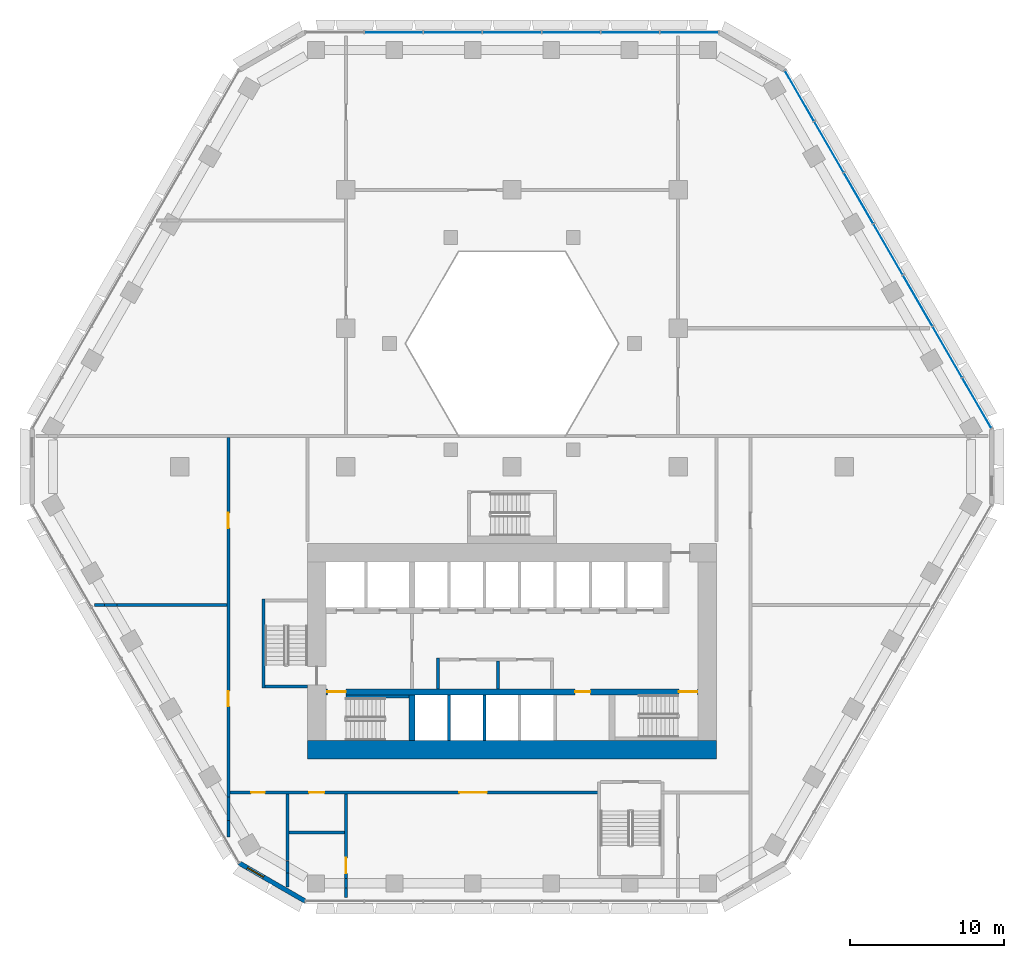
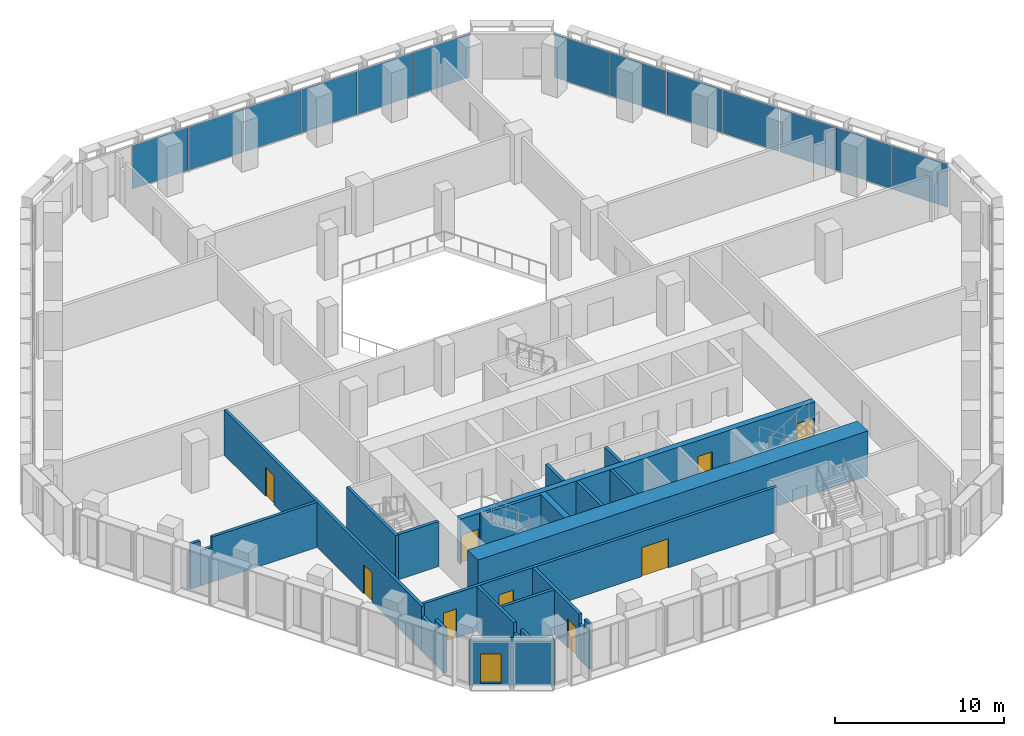
# One storey, part 11 of 22: 25 walls, 13 plates, 9 doors, 1 window, 10 openings, 2 elements without a shape of their own.
"""IFC4 building model written with IfcOpenShell, lengths in metres."""

from ifc_helpers import new_model, si_unit, direction, frame, frame_2d, origin, origin_2d, place, context, subcontext, project, spatial, polyline, rectangle, outline, extrude, material, layer, layer_set, type_object, element, fill, aggregate, save


model = new_model("IFC4")

# Units and contexts
model_context = context("Model", 3, precision=1e-05, world=origin(), true_north=direction((0.0, 1.0)))
body_context = subcontext(model_context, "Body", "Model", "MODEL_VIEW")
ifc_project = project(units=[si_unit("LENGTHUNIT", "METRE"), si_unit("AREAUNIT", "SQUARE_METRE"), si_unit("VOLUMEUNIT", "CUBIC_METRE"), si_unit("PLANEANGLEUNIT", "RADIAN"), si_unit("MASSUNIT", "GRAM", prefix="KILO")], contexts=[model_context])

# Site, building, storey
site_placement = place(None, origin())
site = spatial("IfcSite", under=ifc_project, at=site_placement, CompositionType="ELEMENT")
building_placement = place(site_placement, origin())
building = spatial("IfcBuilding", under=site, at=building_placement, Name="Beryl Residences", CompositionType="ELEMENT")
storey_placement = place(building_placement, frame((0.0, 0.0, 12.60009765625)))
storey = spatial("IfcBuildingStorey", under=building, at=storey_placement, Name="L03", CompositionType="ELEMENT", Elevation=12.60009765625)

# Curtain wall, plates
ifc_material_1 = material(Name="Aluminium and clear glass", Category="aluminium")
curtain_wall_type = type_object("IfcCurtainWallType", Name="CW2 amenity glazing glazed wall", PredefinedType="NOTDEFINED", material=ifc_material_1)
curtain_wall_1_placement = place(storey_placement, origin())
curtain_wall_1 = element("IfcCurtainWall", 1, at=curtain_wall_1_placement, inside=storey, type_object=curtain_wall_type, Name="CW2 L03 N", PredefinedType="NOTDEFINED")
ifc_material_2 = material(Name="Clear laminated glass", Category="glass")
ifc_layer_1 = layer(ifc_material_2, 0.028076171875)
ifc_layer_set_1 = layer_set([ifc_layer_1], Name="CW2-P glazing panel 28 mm")
plate_type = type_object("IfcPlateType", Name="CW2-P glazing panel 28 mm", PredefinedType="CURTAIN_PANEL", material=ifc_layer_set_1)
plate_1_placement = place(storey_placement, frame((11.53076171875, 28.25, 0.06005859375), z_axis=(0.0, 0.0, 1.0), x_axis=(-1.0, 0.0, 0.0)))
plate_1 = element("IfcPlate", 2, at=plate_1_placement, type_object=plate_type, Name="CW2 panel 1.1", PredefinedType="CURTAIN_PANEL", context=body_context, shape_type="SweptSolid", body=[
    extrude(rectangle(XDim=3.758544921875, YDim=0.028076171875, at=origin_2d()), origin(), (0.0, 0.0, 1.0), 3.1298828125),
])
plate_2_placement = place(storey_placement, frame((7.697021484375, 28.25, 0.06005859375), z_axis=(0.0, 0.0, 1.0), x_axis=(-1.0, 0.0, 0.0)))
plate_2 = element("IfcPlate", 3, at=plate_2_placement, type_object=plate_type, Name="CW2 panel 2.1", PredefinedType="CURTAIN_PANEL", context=body_context, shape_type="SweptSolid", body=[
    extrude(rectangle(XDim=3.78857421875, YDim=0.028076171875, at=origin_2d()), origin(), (0.0, 0.0, 1.0), 3.1298828125),
])
plate_3_placement = place(storey_placement, frame((3.8486328125, 28.25, 0.06005859375), z_axis=(0.0, 0.0, 1.0), x_axis=(-1.0, 0.0, 0.0)))
plate_3 = element("IfcPlate", 4, at=plate_3_placement, type_object=plate_type, Name="CW2 panel 3.1", PredefinedType="CURTAIN_PANEL", context=body_context, shape_type="SweptSolid", body=[
    extrude(rectangle(XDim=3.78857421875, YDim=0.028076171875, at=origin_2d()), origin(), (0.0, 0.0, 1.0), 3.1298828125),
])
plate_4_placement = place(storey_placement, frame((0.0, 28.25, 0.06005859375), z_axis=(0.0, 0.0, 1.0), x_axis=(-1.0, 0.0, 0.0)))
plate_4 = element("IfcPlate", 5, at=plate_4_placement, type_object=plate_type, Name="CW2 panel 4.1", PredefinedType="CURTAIN_PANEL", context=body_context, shape_type="SweptSolid", body=[
    extrude(rectangle(XDim=3.78857421875, YDim=0.028076171875, at=origin_2d()), origin(), (0.0, 0.0, 1.0), 3.1298828125),
])
plate_5_placement = place(storey_placement, frame((-3.8486328125, 28.25, 0.06005859375), z_axis=(0.0, 0.0, 1.0), x_axis=(-1.0, 0.0, 0.0)))
plate_5 = element("IfcPlate", 6, at=plate_5_placement, type_object=plate_type, Name="CW2 panel 5.1", PredefinedType="CURTAIN_PANEL", context=body_context, shape_type="SweptSolid", body=[
    extrude(rectangle(XDim=3.78857421875, YDim=0.028076171875, at=origin_2d()), origin(), (0.0, 0.0, 1.0), 3.1298828125),
])
plate_6_placement = place(storey_placement, frame((-7.697021484375, 28.25, 0.06005859375), z_axis=(0.0, 0.0, 1.0), x_axis=(-1.0, 0.0, 0.0)))
plate_6 = element("IfcPlate", 7, at=plate_6_placement, type_object=plate_type, Name="CW2 panel 6.1", PredefinedType="CURTAIN_PANEL", context=body_context, shape_type="SweptSolid", body=[
    extrude(rectangle(XDim=3.78857421875, YDim=0.028076171875, at=origin_2d()), origin(), (0.0, 0.0, 1.0), 3.1298828125),
])
aggregate(curtain_wall_1, [plate_1, plate_2, plate_3, plate_4, plate_5, plate_6])

curtain_wall_2_placement = place(storey_placement, origin())
curtain_wall_2 = element("IfcCurtainWall", 8, at=curtain_wall_2_placement, inside=storey, type_object=curtain_wall_type, Name="CW2 L03 NE", PredefinedType="NOTDEFINED")
plate_7_placement = place(storey_placement, frame((30.23046875, 4.139404296875, 0.06005859375), z_axis=(0.0, 0.0, 1.0), x_axis=(-0.500011643322, 0.866018681405, 0.0)))
plate_7 = element("IfcPlate", 9, at=plate_7_placement, type_object=plate_type, Name="CW2 panel 1.1", PredefinedType="CURTAIN_PANEL", context=body_context, shape_type="SweptSolid", body=[
    extrude(rectangle(XDim=3.758544921875, YDim=0.028076171875, at=origin_2d()), origin(), (0.0, 0.0, 1.0), 3.1298828125),
])
plate_8_placement = place(storey_placement, frame((28.3134765625, 7.459228515625, 0.06005859375), z_axis=(0.0, 0.0, 1.0), x_axis=(-0.500011643322, 0.866018681405, 0.0)))
plate_8 = element("IfcPlate", 10, at=plate_8_placement, type_object=plate_type, Name="CW2 panel 2.1", PredefinedType="CURTAIN_PANEL", context=body_context, shape_type="SweptSolid", body=[
    extrude(rectangle(XDim=3.78857421875, YDim=0.028076171875, at=origin_2d()), origin(), (0.0, 0.0, 1.0), 3.1298828125),
])
plate_9_placement = place(storey_placement, frame((26.389404296875, 10.792236328125, 0.06005859375), z_axis=(0.0, 0.0, 1.0), x_axis=(-0.500011643322, 0.866018681405, 0.0)))
plate_9 = element("IfcPlate", 11, at=plate_9_placement, type_object=plate_type, Name="CW2 panel 3.1", PredefinedType="CURTAIN_PANEL", context=body_context, shape_type="SweptSolid", body=[
    extrude(rectangle(XDim=3.78857421875, YDim=0.028076171875, at=origin_2d()), origin(), (0.0, 0.0, 1.0), 3.1298828125),
])
plate_10_placement = place(storey_placement, frame((24.465087890625, 14.125, 0.06005859375), z_axis=(0.0, 0.0, 1.0), x_axis=(-0.500011643322, 0.866018681405, 0.0)))
plate_10 = element("IfcPlate", 12, at=plate_10_placement, type_object=plate_type, Name="CW2 panel 4.1", PredefinedType="CURTAIN_PANEL", context=body_context, shape_type="SweptSolid", body=[
    extrude(rectangle(XDim=3.78857421875, YDim=0.028076171875, at=origin_2d()), origin(), (0.0, 0.0, 1.0), 3.1298828125),
])
plate_11_placement = place(storey_placement, frame((22.540771484375, 17.457763671875, 0.06005859375), z_axis=(0.0, 0.0, 1.0), x_axis=(-0.500011643322, 0.866018681405, 0.0)))
plate_11 = element("IfcPlate", 13, at=plate_11_placement, type_object=plate_type, Name="CW2 panel 5.1", PredefinedType="CURTAIN_PANEL", context=body_context, shape_type="SweptSolid", body=[
    extrude(rectangle(XDim=3.78857421875, YDim=0.028076171875, at=origin_2d()), origin(), (0.0, 0.0, 1.0), 3.1298828125),
])
plate_12_placement = place(storey_placement, frame((20.616455078125, 20.790771484375, 0.06005859375), z_axis=(0.0, 0.0, 1.0), x_axis=(-0.500011643322, 0.866018681405, 0.0)))
plate_12 = element("IfcPlate", 14, at=plate_12_placement, type_object=plate_type, Name="CW2 panel 6.1", PredefinedType="CURTAIN_PANEL", context=body_context, shape_type="SweptSolid", body=[
    extrude(rectangle(XDim=3.78857421875, YDim=0.028076171875, at=origin_2d()), origin(), (0.0, 0.0, 1.0), 3.1298828125),
])
plate_13_placement = place(storey_placement, frame((18.69970703125, 24.110595703125, 0.06005859375), z_axis=(0.0, 0.0, 1.0), x_axis=(-0.500011643322, 0.866018681405, 0.0)))
plate_13 = element("IfcPlate", 15, at=plate_13_placement, type_object=plate_type, Name="CW2 panel 7.1", PredefinedType="CURTAIN_PANEL", context=body_context, shape_type="SweptSolid", body=[
    extrude(rectangle(XDim=3.758544921875, YDim=0.028076171875, at=origin_2d()), origin(), (0.0, 0.0, 1.0), 3.1298828125),
])
aggregate(curtain_wall_2, [plate_7, plate_8, plate_9, plate_10, plate_11, plate_12, plate_13])

# Wall, opening, window
ifc_material_3 = material(Name="Composite metal panel with mineral wool insulation")
ifc_layer_2 = layer(ifc_material_3, 0.300048828125)
ifc_layer_set_2 = layer_set([ifc_layer_2], Name="ES1 pale metal composite panel wall 300 mm")
wall_type_1 = type_object("IfcWallType", Name="ES1 pale metal composite panel wall 300 mm", PredefinedType="SOLIDWALL", material=ifc_layer_set_2)
wall_1_placement = place(storey_placement, frame((-17.764892578125, -25.77001953125, 0.0), z_axis=(0.0, 0.0, 1.0), x_axis=(0.866010750942, -0.50002537861, 0.0)))
wall_1 = element("IfcWall", 16, at=wall_1_placement, inside=storey, type_object=wall_type_1, Name="ES1 external wall L03 SW-S", PredefinedType="SOLIDWALL", context=body_context, shape_type="SweptSolid", body=[
    extrude(outline(polyline([(0.0, -0.14990234375), (4.999755859375, -0.14990234375), (4.91943359375, 0.14990234375), (0.080322265625, 0.14990234375), (0.0, -0.14990234375)])), origin(), (0.0, 0.0, 1.0), 3.25),
])
opening_1_placement = place(wall_1_placement, frame((0.64990234375, 0.0, 0.14990234375)))
opening_1 = element("IfcOpeningElement", 17, at=opening_1_placement, cuts=wall_1, Name="Opening W2", PredefinedType="OPENING", context=body_context, shape_type="SweptSolid", body=[
    extrude(rectangle(XDim=1.199951171875, YDim=2.10009765625, at=frame_2d((0.60009765625, 1.050048828125))), frame((0.0, 0.159912109375, 0.0), z_axis=(0.0, -1.0, 0.0), x_axis=(1.0, 0.0, 0.0)), (0.0, 0.0, 1.0), 0.320068359375),
])
ifc_material_4 = material(Name="Aluminium and clear glass", Category="aluminium")
window_type = type_object("IfcWindowType", Name="W2 chamfer window 1200 x 2100 mm", PartitioningType="SINGLE_PANEL", PredefinedType="WINDOW", material=ifc_material_4)
window_placement = place(opening_1_placement, origin())
window = element("IfcWindow", 18, at=window_placement, inside=storey, type_object=window_type, Name="W2 window L03 SW-S 1", OverallHeight=2.10009765625, OverallWidth=1.199951171875, PartitioningType="SINGLE_PANEL", PredefinedType="WINDOW", context=body_context, shape_type="SweptSolid", body=[
    extrude(rectangle(XDim=1.199951171875, YDim=2.10009765625, at=frame_2d((0.60009765625, 1.050048828125))), frame((0.0, 0.030029296875, 0.0), z_axis=(0.0, -1.0, 0.0), x_axis=(1.0, 0.0, 0.0)), (0.0, 0.0, 1.0), 0.06005859375),
])
fill(opening_1, window)

# Wall
ifc_material_5 = material(Name="Concrete masonry", Category="masonry")
ifc_layer_3 = layer(ifc_material_5, 0.199951171875)
ifc_layer_set_3 = layer_set([ifc_layer_3], Name="PT13 lobby wall 200 mm")
wall_type_2 = type_object("IfcWallType", Name="PT13 lobby wall 200 mm", PredefinedType="PARTITIONING", material=ifc_layer_set_3)
wall_2_placement = place(storey_placement, frame((-4.800048828125, -14.449951171875, 0.0), z_axis=(0.0, 0.0, 1.0), x_axis=(0.0, 1.0, 0.0)))
element("IfcWall", 19, at=wall_2_placement, inside=storey, type_object=wall_type_2, Name="Lobby wall 07", PredefinedType="PARTITIONING", context=body_context, shape_type="SweptSolid", body=[
    extrude(rectangle(XDim=2.0, YDim=0.199951171875, at=frame_2d((1.0, 0.0))), origin(), (0.0, 0.0, 1.0), 3.25),
])

# Wall, openings, doors
ifc_material_6 = material(Name="Double stud gypsum board wall")
ifc_layer_4 = layer(ifc_material_6, 0.199951171875)
ifc_layer_set_4 = layer_set([ifc_layer_4], Name="PT4 corridor wall 200 mm double stud")
wall_type_3 = type_object("IfcWallType", Name="PT4 corridor wall 200 mm double stud", PredefinedType="PARTITIONING", material=ifc_layer_set_4)
wall_3_placement = place(storey_placement, frame((-18.35009765625, -21.199951171875, 0.0), z_axis=(0.0, 0.0, 1.0), x_axis=(1.0, 0.0, 0.0)))
wall_3 = element("IfcWall", 20, at=wall_3_placement, inside=storey, type_object=wall_type_3, Name="Wall PT4 L03 001", PredefinedType="PARTITIONING", context=body_context, shape_type="SweptSolid", body=[
    extrude(rectangle(XDim=24.10009765625, YDim=0.199951171875, at=frame_2d((12.050048828125, 0.0))), origin(), (0.0, 0.0, 1.0), 3.25),
])
opening_2_placement = place(wall_3_placement, frame((2.27685546875, 0.0, 0.0), z_axis=(0.0, 0.0, 1.0), x_axis=(-1.0, 0.0, 0.0)))
opening_2 = element("IfcOpeningElement", 21, at=opening_2_placement, cuts=wall_3, Name="Opening L03-01", PredefinedType="OPENING", context=body_context, shape_type="SweptSolid", body=[
    extrude(rectangle(XDim=0.89990234375, YDim=2.10009765625, at=frame_2d((0.449951171875, 1.050048828125))), frame((0.0, 0.10986328125, 0.0), z_axis=(0.0, -1.0, 0.0), x_axis=(1.0, 0.0, 0.0)), (0.0, 0.0, 1.0), 0.219970703125),
])
opening_3_placement = place(wall_3_placement, frame((6.14990234375, 0.0, 0.0), z_axis=(0.0, 0.0, 1.0), x_axis=(-1.0, 0.0, 0.0)))
opening_3 = element("IfcOpeningElement", 22, at=opening_3_placement, cuts=wall_3, Name="Opening L03-02", PredefinedType="OPENING", context=body_context, shape_type="SweptSolid", body=[
    extrude(rectangle(XDim=1.0, YDim=2.10009765625, at=frame_2d((0.5, 1.050048828125))), frame((0.0, 0.10986328125, 0.0), z_axis=(0.0, -1.0, 0.0), x_axis=(1.0, 0.0, 0.0)), (0.0, 0.0, 1.0), 0.219970703125),
])
opening_4_placement = place(wall_3_placement, frame((14.923095703125, 0.0, 0.0)))
opening_4 = element("IfcOpeningElement", 23, at=opening_4_placement, cuts=wall_3, Name="Opening L03-17", PredefinedType="OPENING", context=body_context, shape_type="SweptSolid", body=[
    extrude(rectangle(XDim=1.800048828125, YDim=2.10009765625, at=frame_2d((0.89990234375, 1.050048828125))), frame((0.0, 0.10986328125, 0.0), z_axis=(0.0, -1.0, 0.0), x_axis=(1.0, 0.0, 0.0)), (0.0, 0.0, 1.0), 0.219970703125),
])
ifc_material_7 = material(Name="Timber door leaf", Category="wood")
door_type_1 = type_object("IfcDoorType", Name="D19 room door 1000 x 2100 mm", OperationType="SINGLE_SWING_LEFT", PredefinedType="DOOR", material=ifc_material_7)
door_1_placement = place(opening_3_placement, origin())
door_1 = element("IfcDoor", 24, at=door_1_placement, inside=storey, type_object=door_type_1, Name="Door L03-02 L03 001", OperationType="SINGLE_SWING_LEFT", OverallHeight=2.10009765625, OverallWidth=1.0, PredefinedType="DOOR", context=body_context, shape_type="SweptSolid", body=[
    extrude(rectangle(XDim=1.0, YDim=2.10009765625, at=frame_2d((0.5, 1.050048828125))), frame((0.0, 0.02490234375, 0.0), z_axis=(0.0, -1.0, 0.0), x_axis=(1.0, 0.0, 0.0)), (0.0, 0.0, 1.0), 0.050048828125),
])
fill(opening_3, door_1)
ifc_material_8 = material(Name="Timber door leaf", Category="wood")
door_type_2 = type_object("IfcDoorType", Name="D2 room door 900 x 2100 mm", OperationType="SINGLE_SWING_LEFT", PredefinedType="DOOR", material=ifc_material_8)
door_2_placement = place(opening_2_placement, origin())
door_2 = element("IfcDoor", 25, at=door_2_placement, inside=storey, type_object=door_type_2, Name="Door L03-01 L03 001", OperationType="SINGLE_SWING_RIGHT", OverallHeight=2.10009765625, OverallWidth=0.89990234375, PredefinedType="DOOR", context=body_context, shape_type="SweptSolid", body=[
    extrude(rectangle(XDim=0.89990234375, YDim=2.10009765625, at=frame_2d((0.449951171875, 1.050048828125))), frame((0.0, 0.02490234375, 0.0), z_axis=(0.0, -1.0, 0.0), x_axis=(1.0, 0.0, 0.0)), (0.0, 0.0, 1.0), 0.050048828125),
])
fill(opening_2, door_2)
ifc_material_9 = material(Name="Timber door leaf", Category="wood")
door_type_3 = type_object("IfcDoorType", Name="D20 corridor door 1800 x 2100 mm", OperationType="DOUBLE_DOOR_SINGLE_SWING", PredefinedType="DOOR", material=ifc_material_9)
door_3_placement = place(opening_4_placement, origin())
door_3 = element("IfcDoor", 26, at=door_3_placement, inside=storey, type_object=door_type_3, Name="Door L03-17 L03 001", OperationType="DOUBLE_DOOR_SINGLE_SWING", OverallHeight=2.10009765625, OverallWidth=1.800048828125, PredefinedType="DOOR", context=body_context, shape_type="SweptSolid", body=[
    extrude(rectangle(XDim=1.800048828125, YDim=2.10009765625, at=frame_2d((0.89990234375, 1.050048828125))), frame((0.0, 0.02490234375, 0.0), z_axis=(0.0, -1.0, 0.0), x_axis=(1.0, 0.0, 0.0)), (0.0, 0.0, 1.0), 0.050048828125),
])
fill(opening_4, door_3)

# Walls
wall_4_placement = place(storey_placement, frame((-27.157958984375, -9.0, 0.0), z_axis=(0.0, 0.0, 1.0), x_axis=(1.0, 0.0, 0.0)))
element("IfcWall", 27, at=wall_4_placement, inside=storey, type_object=wall_type_3, Name="Wall PT4 L03 002", PredefinedType="PARTITIONING", context=body_context, shape_type="SweptSolid", body=[
    extrude(rectangle(XDim=0.656982421875, YDim=0.199951171875, at=frame_2d((0.32861328125, 0.0))), origin(), (0.0, 0.0, 1.0), 3.25),
])
wall_5_placement = place(storey_placement, frame((-26.5009765625, -9.0, 0.0), z_axis=(0.0, 0.0, 1.0), x_axis=(1.0, 0.0, 0.0)))
element("IfcWall", 28, at=wall_5_placement, inside=storey, type_object=wall_type_3, Name="Wall PT4 L03 003", PredefinedType="PARTITIONING", context=body_context, shape_type="SweptSolid", body=[
    extrude(rectangle(XDim=0.80908203125, YDim=0.199951171875, at=frame_2d((0.404541015625, 0.0))), origin(), (0.0, 0.0, 1.0), 2.52001953125),
])
wall_6_placement = place(storey_placement, frame((-25.69189453125, -9.0, 0.0), z_axis=(0.0, 0.0, 1.0), x_axis=(1.0, 0.0, 0.0)))
element("IfcWall", 29, at=wall_6_placement, inside=storey, type_object=wall_type_3, Name="Wall PT4 L03 004", PredefinedType="PARTITIONING", context=body_context, shape_type="SweptSolid", body=[
    extrude(rectangle(XDim=7.141845703125, YDim=0.199951171875, at=frame_2d((3.57080078125, 0.0))), origin(), (0.0, 0.0, 1.0), 3.25),
])
wall_7_placement = place(storey_placement, frame((-18.449951171875, -24.08203125, 0.0), z_axis=(0.0, 0.0, 1.0), x_axis=(0.0, 1.0, 0.0)))
element("IfcWall", 30, at=wall_7_placement, inside=storey, type_object=wall_type_3, Name="Wall PT4 L03 017", PredefinedType="PARTITIONING", context=body_context, shape_type="SweptSolid", body=[
    extrude(rectangle(XDim=1.06494140625, YDim=0.199951171875, at=frame_2d((0.532470703125, 0.0))), origin(), (0.0, 0.0, 1.0), 3.25),
])
wall_8_placement = place(storey_placement, frame((-18.449951171875, -23.01708984375, 0.0), z_axis=(0.0, 0.0, 1.0), x_axis=(0.0, 1.0, 0.0)))
element("IfcWall", 31, at=wall_8_placement, inside=storey, type_object=wall_type_3, Name="Wall PT4 L03 018", PredefinedType="PARTITIONING", context=body_context, shape_type="SweptSolid", body=[
    extrude(rectangle(XDim=1.546142578125, YDim=0.199951171875, at=frame_2d((0.77294921875, 0.0))), origin(), (0.0, 0.0, 1.0), 2.52001953125),
])

# Wall, openings, doors
wall_9_placement = place(storey_placement, frame((-18.449951171875, -21.470947265625, 0.0), z_axis=(0.0, 0.0, 1.0), x_axis=(0.0, 1.0, 0.0)))
wall_9 = element("IfcWall", 32, at=wall_9_placement, inside=storey, type_object=wall_type_3, Name="Wall PT4 L03 019", PredefinedType="PARTITIONING", context=body_context, shape_type="SweptSolid", body=[
    extrude(rectangle(XDim=23.370849609375, YDim=0.199951171875, at=frame_2d((11.685546875, 0.0))), origin(), (0.0, 0.0, 1.0), 3.25),
])
opening_5_placement = place(wall_9_placement, frame((5.873046875, 0.0, 0.0)))
opening_5 = element("IfcOpeningElement", 33, at=opening_5_placement, cuts=wall_9, Name="Opening L03-05", PredefinedType="OPENING", context=body_context, shape_type="SweptSolid", body=[
    extrude(rectangle(XDim=1.0, YDim=2.10009765625, at=frame_2d((0.5, 1.050048828125))), frame((0.0, 0.10986328125, 0.0), z_axis=(0.0, -1.0, 0.0), x_axis=(1.0, 0.0, 0.0)), (0.0, 0.0, 1.0), 0.219970703125),
])
opening_6_placement = place(wall_9_placement, frame((17.468994140625, 0.0, 0.0)))
opening_6 = element("IfcOpeningElement", 34, at=opening_6_placement, cuts=wall_9, Name="Opening L03-06", PredefinedType="OPENING", context=body_context, shape_type="SweptSolid", body=[
    extrude(rectangle(XDim=1.0, YDim=2.10009765625, at=frame_2d((0.5, 1.050048828125))), frame((0.0, 0.10986328125, 0.0), z_axis=(0.0, -1.0, 0.0), x_axis=(1.0, 0.0, 0.0)), (0.0, 0.0, 1.0), 0.219970703125),
])
ifc_material_10 = material(Name="Timber door leaf", Category="wood")
door_type_4 = type_object("IfcDoorType", Name="D9 corridor door 1000 x 2100 mm", OperationType="SINGLE_SWING_LEFT", PredefinedType="DOOR", material=ifc_material_10)
door_4_placement = place(opening_5_placement, origin())
door_4 = element("IfcDoor", 35, at=door_4_placement, inside=storey, type_object=door_type_4, Name="Door L03-05 L03 001", OperationType="SINGLE_SWING_LEFT", OverallHeight=2.10009765625, OverallWidth=1.0, PredefinedType="DOOR", context=body_context, shape_type="SweptSolid", body=[
    extrude(rectangle(XDim=1.0, YDim=2.10009765625, at=frame_2d((0.5, 1.050048828125))), frame((0.0, 0.02490234375, 0.0), z_axis=(0.0, -1.0, 0.0), x_axis=(1.0, 0.0, 0.0)), (0.0, 0.0, 1.0), 0.050048828125),
])
fill(opening_5, door_4)
door_5_placement = place(opening_6_placement, origin())
door_5 = element("IfcDoor", 36, at=door_5_placement, inside=storey, type_object=door_type_4, Name="Door L03-06 L03 001", OperationType="SINGLE_SWING_RIGHT", OverallHeight=2.10009765625, OverallWidth=1.0, PredefinedType="DOOR", context=body_context, shape_type="SweptSolid", body=[
    extrude(rectangle(XDim=1.0, YDim=2.10009765625, at=frame_2d((0.5, 1.050048828125))), frame((0.0, 0.02490234375, 0.0), z_axis=(0.0, -1.0, 0.0), x_axis=(1.0, 0.0, 0.0)), (0.0, 0.0, 1.0), 0.050048828125),
])
fill(opening_6, door_5)

# Walls
ifc_material_11 = material(Name="Concrete C40/50", Category="concrete")
ifc_layer_5 = layer(ifc_material_11, 0.199951171875)
ifc_layer_set_5 = layer_set([ifc_layer_5], Name="PT5 stair enclosure wall 200 mm reinforced concrete C40/50")
wall_type_4 = type_object("IfcWallType", Name="PT5 stair enclosure wall 200 mm reinforced concrete C40/50", PredefinedType="SOLIDWALL", material=ifc_layer_set_5)
wall_10_placement = place(storey_placement, frame((-16.14990234375, -14.39990234375, 0.0), z_axis=(0.0, 0.0, 1.0), x_axis=(0.0, 1.0, 0.0)))
element("IfcWall", 37, at=wall_10_placement, inside=storey, type_object=wall_type_4, Name="Stair wall 01", PredefinedType="SOLIDWALL", context=body_context, shape_type="SweptSolid", body=[
    extrude(rectangle(XDim=5.7998046875, YDim=0.199951171875, at=frame_2d((2.89990234375, 0.0))), origin(), (0.0, 0.0, 1.0), 3.25),
])
wall_11_placement = place(storey_placement, frame((-16.050048828125, -14.300048828125, 0.0), z_axis=(0.0, 0.0, 1.0), x_axis=(1.0, 0.0, 0.0)))
element("IfcWall", 38, at=wall_11_placement, inside=storey, type_object=wall_type_4, Name="Stair wall 02", PredefinedType="SOLIDWALL", context=body_context, shape_type="SweptSolid", body=[
    extrude(rectangle(XDim=2.75, YDim=0.199951171875, at=frame_2d((1.375, 0.0))), origin(), (0.0, 0.0, 1.0), 3.25),
])
wall_12_placement = place(storey_placement, frame((-10.800048828125, -14.949951171875, 0.0), z_axis=(0.0, 0.0, 1.0), x_axis=(1.0, 0.0, 0.0)))
element("IfcWall", 39, at=wall_12_placement, inside=storey, type_object=wall_type_4, Name="Stair wall 04", PredefinedType="SOLIDWALL", context=body_context, shape_type="SweptSolid", body=[
    extrude(rectangle(XDim=4.10009765625, YDim=0.199951171875, at=frame_2d((2.050048828125, 0.0))), origin(), (0.0, 0.0, 1.0), 3.25),
])
ifc_material_12 = material(Name="Concrete C40/50", Category="concrete")
ifc_layer_6 = layer(ifc_material_12, 0.199951171875)
ifc_layer_set_6 = layer_set([ifc_layer_6], Name="PT6 lift shaft wall 200 mm reinforced concrete C40/50")
wall_type_5 = type_object("IfcWallType", Name="PT6 lift shaft wall 200 mm reinforced concrete C40/50", PredefinedType="SOLIDWALL", material=ifc_layer_set_6)
for number, where, z_axis, x_axis, name in (
    (40, (-4.10009765625, -17.800048828125, 0.0), (0.0, 0.0, 1.0), (0.0, 1.0, 0.0), "Lift shaft wall 09"),
    (41, (-1.800048828125, -17.800048828125, 0.0), (0.0, 0.0, 1.0), (0.0, 1.0, 0.0), "Lift shaft wall 11"),
):
    element("IfcWall", number, at=place(storey_placement, frame(where, z_axis=z_axis, x_axis=x_axis)), inside=storey, type_object=wall_type_5, Name=name, PredefinedType="SOLIDWALL", context=body_context, shape_type="SweptSolid", body=[
        extrude(rectangle(XDim=2.949951171875, YDim=0.199951171875, at=frame_2d((1.47509765625, 0.0))), origin(), (0.0, 0.0, 1.0), 3.25),
    ])
ifc_material_13 = material(Name="Concrete masonry", Category="masonry")
ifc_layer_7 = layer(ifc_material_13, 0.199951171875)
ifc_layer_set_7 = layer_set([ifc_layer_7], Name="PT8-200 service room wall 200 mm")
wall_type_6 = type_object("IfcWallType", Name="PT8-200 service room wall 200 mm", PredefinedType="PARTITIONING", material=ifc_layer_set_7)
wall_13_placement = place(storey_placement, frame((-14.5, -23.800048828125, 0.0), z_axis=(0.0, 0.0, 1.0), x_axis=(1.0, 0.0, 0.0)))
element("IfcWall", 42, at=wall_13_placement, inside=storey, type_object=wall_type_6, Name="Wall PT8-200 L03 001", PredefinedType="PARTITIONING", context=body_context, shape_type="SweptSolid", body=[
    extrude(rectangle(XDim=3.60009765625, YDim=0.199951171875, at=frame_2d((1.800048828125, 0.0))), origin(), (0.0, 0.0, 1.0), 3.25),
])
wall_14_placement = place(storey_placement, frame((-14.60009765625, -27.33203125, 0.0), z_axis=(0.0, 0.0, 1.0), x_axis=(0.0, 1.0, 0.0)))
element("IfcWall", 43, at=wall_14_placement, inside=storey, type_object=wall_type_6, Name="Wall PT8-200 L03 003", PredefinedType="PARTITIONING", context=body_context, shape_type="SweptSolid", body=[
    extrude(rectangle(XDim=0.89013671875, YDim=0.199951171875, at=frame_2d((0.445068359375, 0.0))), origin(), (0.0, 0.0, 1.0), 3.25),
])
wall_15_placement = place(storey_placement, frame((-14.60009765625, -26.44189453125, 0.0), z_axis=(0.0, 0.0, 1.0), x_axis=(0.0, 1.0, 0.0)))
element("IfcWall", 44, at=wall_15_placement, inside=storey, type_object=wall_type_6, Name="Wall PT8-200 L03 004", PredefinedType="PARTITIONING", context=body_context, shape_type="SweptSolid", body=[
    extrude(rectangle(XDim=0.808837890625, YDim=0.199951171875, at=frame_2d((0.404296875, 0.0))), origin(), (0.0, 0.0, 1.0), 2.52001953125),
])
wall_16_placement = place(storey_placement, frame((-14.60009765625, -25.633056640625, 0.0), z_axis=(0.0, 0.0, 1.0), x_axis=(0.0, 1.0, 0.0)))
element("IfcWall", 45, at=wall_16_placement, inside=storey, type_object=wall_type_6, Name="Wall PT8-200 L03 005", PredefinedType="PARTITIONING", context=body_context, shape_type="SweptSolid", body=[
    extrude(rectangle(XDim=4.3330078125, YDim=0.199951171875, at=frame_2d((2.16650390625, 0.0))), origin(), (0.0, 0.0, 1.0), 3.25),
])
wall_17_placement = place(storey_placement, frame((-10.800048828125, -28.02001953125, 0.0), z_axis=(0.0, 0.0, 1.0), x_axis=(0.0, 1.0, 0.0)))
element("IfcWall", 46, at=wall_17_placement, inside=storey, type_object=wall_type_6, Name="Wall PT8-200 L03 006", PredefinedType="PARTITIONING", context=body_context, shape_type="SweptSolid", body=[
    extrude(rectangle(XDim=0.6201171875, YDim=0.199951171875, at=frame_2d((0.31005859375, 0.0))), origin(), (0.0, 0.0, 1.0), 3.25),
])
wall_18_placement = place(storey_placement, frame((-10.800048828125, -27.39990234375, 0.0), z_axis=(0.0, 0.0, 1.0), x_axis=(0.0, 1.0, 0.0)))
element("IfcWall", 47, at=wall_18_placement, inside=storey, type_object=wall_type_6, Name="Wall PT8-200 L03 007", PredefinedType="PARTITIONING", context=body_context, shape_type="SweptSolid", body=[
    extrude(rectangle(XDim=0.599853515625, YDim=0.199951171875, at=frame_2d((0.2998046875, 0.0))), origin(), (0.0, 0.0, 1.0), 2.52001953125),
])

# Wall, opening, door
wall_19_placement = place(storey_placement, frame((-10.800048828125, -26.800048828125, 0.0), z_axis=(0.0, 0.0, 1.0), x_axis=(0.0, 1.0, 0.0)))
wall_19 = element("IfcWall", 48, at=wall_19_placement, inside=storey, type_object=wall_type_6, Name="Wall PT8-200 L03 008", PredefinedType="PARTITIONING", context=body_context, shape_type="SweptSolid", body=[
    extrude(rectangle(XDim=5.5, YDim=0.199951171875, at=frame_2d((2.75, 0.0))), origin(), (0.0, 0.0, 1.0), 3.25),
])
opening_7_placement = place(wall_19_placement, frame((0.35205078125, 0.0, 0.0)))
opening_7 = element("IfcOpeningElement", 49, at=opening_7_placement, cuts=wall_19, Name="Opening L03-03", PredefinedType="OPENING", context=body_context, shape_type="SweptSolid", body=[
    extrude(rectangle(XDim=1.0, YDim=2.10009765625, at=frame_2d((0.5, 1.050048828125))), frame((0.0, 0.10986328125, 0.0), z_axis=(0.0, -1.0, 0.0), x_axis=(1.0, 0.0, 0.0)), (0.0, 0.0, 1.0), 0.219970703125),
])
door_6_placement = place(opening_7_placement, origin())
door_6 = element("IfcDoor", 50, at=door_6_placement, inside=storey, type_object=door_type_4, Name="Door L03-03 L03 001", OperationType="SINGLE_SWING_LEFT", OverallHeight=2.10009765625, OverallWidth=1.0, PredefinedType="DOOR", context=body_context, shape_type="SweptSolid", body=[
    extrude(rectangle(XDim=1.0, YDim=2.10009765625, at=frame_2d((0.5, 1.050048828125))), frame((0.0, 0.02490234375, 0.0), z_axis=(0.0, -1.0, 0.0), x_axis=(1.0, 0.0, 0.0)), (0.0, 0.0, 1.0), 0.050048828125),
])
fill(opening_7, door_6)

# Walls
wall_20_placement = place(storey_placement, frame((-0.89990234375, -14.449951171875, 0.0), z_axis=(0.0, 0.0, 1.0), x_axis=(0.0, 1.0, 0.0)))
element("IfcWall", 51, at=wall_20_placement, inside=storey, type_object=wall_type_6, Name="Core room wall 13", PredefinedType="PARTITIONING", context=body_context, shape_type="SweptSolid", body=[
    extrude(rectangle(XDim=1.800048828125, YDim=0.199951171875, at=frame_2d((0.89990234375, 0.0))), origin(), (0.0, 0.0, 1.0), 3.25),
])
ifc_material_14 = material(Name="Concrete C80/95", Category="concrete")
ifc_layer_8 = layer(ifc_material_14, 1.199951171875)
ifc_layer_set_8 = layer_set([ifc_layer_8], Name="SW1 core outer wall 1200 mm C80/95")
wall_type_7 = type_object("IfcWallType", Name="SW1 core outer wall 1200 mm C80/95", PredefinedType="SHEAR", material=ifc_layer_set_8)
wall_21_placement = place(storey_placement, frame((-13.300048828125, -18.39990234375, 0.0), z_axis=(0.0, 0.0, 1.0), x_axis=(1.0, 0.0, 0.0)))
element("IfcWall", 52, at=wall_21_placement, inside=storey, type_object=wall_type_7, Name="Core wall S L03", PredefinedType="SHEAR", context=body_context, shape_type="SweptSolid", body=[
    extrude(rectangle(XDim=26.60009765625, YDim=1.199951171875, at=frame_2d((13.300048828125, 0.0))), origin(), (0.0, 0.0, 1.0), 3.25),
])

# Wall, openings, doors
ifc_material_15 = material(Name="Concrete C80/95", Category="concrete")
ifc_layer_9 = layer(ifc_material_15, 0.39990234375)
ifc_layer_set_9 = layer_set([ifc_layer_9], Name="SW6 core internal wall 400 mm C80/95")
wall_type_8 = type_object("IfcWallType", Name="SW6 core internal wall 400 mm C80/95", PredefinedType="SHEAR", material=ifc_layer_set_9)
wall_22_placement = place(storey_placement, frame((-12.10009765625, -14.64990234375, 0.0), z_axis=(0.0, 0.0, 1.0), x_axis=(1.0, 0.0, 0.0)))
wall_22 = element("IfcWall", 53, at=wall_22_placement, inside=storey, type_object=wall_type_8, Name="Core wall SP1 L03", PredefinedType="SHEAR", context=body_context, shape_type="SweptSolid", body=[
    extrude(rectangle(XDim=24.2001953125, YDim=0.39990234375, at=frame_2d((12.10009765625, 0.0))), origin(), (0.0, 0.0, 1.0), 3.25),
])
opening_8_placement = place(wall_22_placement, frame((1.300048828125, 0.0, 0.0), z_axis=(0.0, 0.0, 1.0), x_axis=(-1.0, 0.0, 0.0)))
opening_8 = element("IfcOpeningElement", 54, at=opening_8_placement, cuts=wall_22, Name="Opening SD-1", PredefinedType="OPENING", context=body_context, shape_type="SweptSolid", body=[
    extrude(rectangle(XDim=1.199951171875, YDim=2.10009765625, at=frame_2d((0.60009765625, 1.050048828125))), frame((0.0, 0.2099609375, 0.0), z_axis=(0.0, -1.0, 0.0), x_axis=(1.0, 0.0, 0.0)), (0.0, 0.0, 1.0), 0.419921875),
])
opening_9_placement = place(wall_22_placement, frame((24.14990234375, 0.0, 0.0), z_axis=(0.0, 0.0, 1.0), x_axis=(-1.0, 0.0, 0.0)))
opening_9 = element("IfcOpeningElement", 55, at=opening_9_placement, cuts=wall_22, Name="Opening SD-3", PredefinedType="OPENING", context=body_context, shape_type="SweptSolid", body=[
    extrude(rectangle(XDim=1.199951171875, YDim=2.10009765625, at=frame_2d((0.60009765625, 1.050048828125))), frame((0.0, 0.2099609375, 0.0), z_axis=(0.0, -1.0, 0.0), x_axis=(1.0, 0.0, 0.0)), (0.0, 0.0, 1.0), 0.419921875),
])
opening_10_placement = place(wall_22_placement, frame((17.199951171875, 0.0, 0.0), z_axis=(0.0, 0.0, 1.0), x_axis=(-1.0, 0.0, 0.0)))
opening_10 = element("IfcOpeningElement", 56, at=opening_10_placement, cuts=wall_22, Name="Opening CD-D-S1", PredefinedType="OPENING", context=body_context, shape_type="SweptSolid", body=[
    extrude(rectangle(XDim=1.0, YDim=2.10009765625, at=frame_2d((0.5, 1.050048828125))), frame((0.0, 0.2099609375, 0.0), z_axis=(0.0, -1.0, 0.0), x_axis=(1.0, 0.0, 0.0)), (0.0, 0.0, 1.0), 0.419921875),
])
ifc_material_16 = material(Name="Steel door leaf in steel frame", Category="steel")
door_type_5 = type_object("IfcDoorType", Name="D18 service room door 1000 x 2100 mm", OperationType="SINGLE_SWING_LEFT", PredefinedType="DOOR", material=ifc_material_16)
door_7_placement = place(opening_10_placement, origin())
door_7 = element("IfcDoor", 57, at=door_7_placement, inside=storey, type_object=door_type_5, Name="Door CD-D-S1 L03 001", OperationType="SINGLE_SWING_RIGHT", OverallHeight=2.10009765625, OverallWidth=1.0, PredefinedType="DOOR", context=body_context, shape_type="SweptSolid", body=[
    extrude(rectangle(XDim=1.0, YDim=2.10009765625, at=frame_2d((0.5, 1.050048828125))), frame((0.0, 0.02490234375, 0.0), z_axis=(0.0, -1.0, 0.0), x_axis=(1.0, 0.0, 0.0)), (0.0, 0.0, 1.0), 0.050048828125),
])
fill(opening_10, door_7)
ifc_material_17 = material(Name="Steel door leaf in steel frame", Category="steel")
door_type_6 = type_object("IfcDoorType", Name="D4 stair door 1200 x 2100 mm", OperationType="SINGLE_SWING_LEFT", PredefinedType="DOOR", material=ifc_material_17)
door_8_placement = place(opening_8_placement, origin())
door_8 = element("IfcDoor", 58, at=door_8_placement, inside=storey, type_object=door_type_6, Name="Door SD-1 L03 001", OperationType="SINGLE_SWING_RIGHT", OverallHeight=2.10009765625, OverallWidth=1.199951171875, PredefinedType="DOOR", context=body_context, shape_type="SweptSolid", body=[
    extrude(rectangle(XDim=1.199951171875, YDim=2.10009765625, at=frame_2d((0.60009765625, 1.050048828125))), frame((0.0, 0.02490234375, 0.0), z_axis=(0.0, -1.0, 0.0), x_axis=(1.0, 0.0, 0.0)), (0.0, 0.0, 1.0), 0.050048828125),
])
fill(opening_8, door_8)
door_9_placement = place(opening_9_placement, origin())
door_9 = element("IfcDoor", 59, at=door_9_placement, inside=storey, type_object=door_type_6, Name="Door SD-3 L03 001", OperationType="SINGLE_SWING_RIGHT", OverallHeight=2.10009765625, OverallWidth=1.199951171875, PredefinedType="DOOR", context=body_context, shape_type="SweptSolid", body=[
    extrude(rectangle(XDim=1.199951171875, YDim=2.10009765625, at=frame_2d((0.60009765625, 1.050048828125))), frame((0.0, 0.02490234375, 0.0), z_axis=(0.0, -1.0, 0.0), x_axis=(1.0, 0.0, 0.0)), (0.0, 0.0, 1.0), 0.050048828125),
])
fill(opening_9, door_9)

# Wall
wall_23_placement = place(storey_placement, frame((-6.5, -17.800048828125, 0.0), z_axis=(0.0, 0.0, 1.0), x_axis=(0.0, 1.0, 0.0)))
element("IfcWall", 60, at=wall_23_placement, inside=storey, type_object=wall_type_8, Name="Core wall XS1 L03", PredefinedType="SHEAR", context=body_context, shape_type="SweptSolid", body=[
    extrude(rectangle(XDim=2.949951171875, YDim=0.39990234375, at=frame_2d((1.47509765625, 0.0))), origin(), (0.0, 0.0, 1.0), 3.25),
])

save(model, "model.ifc")
